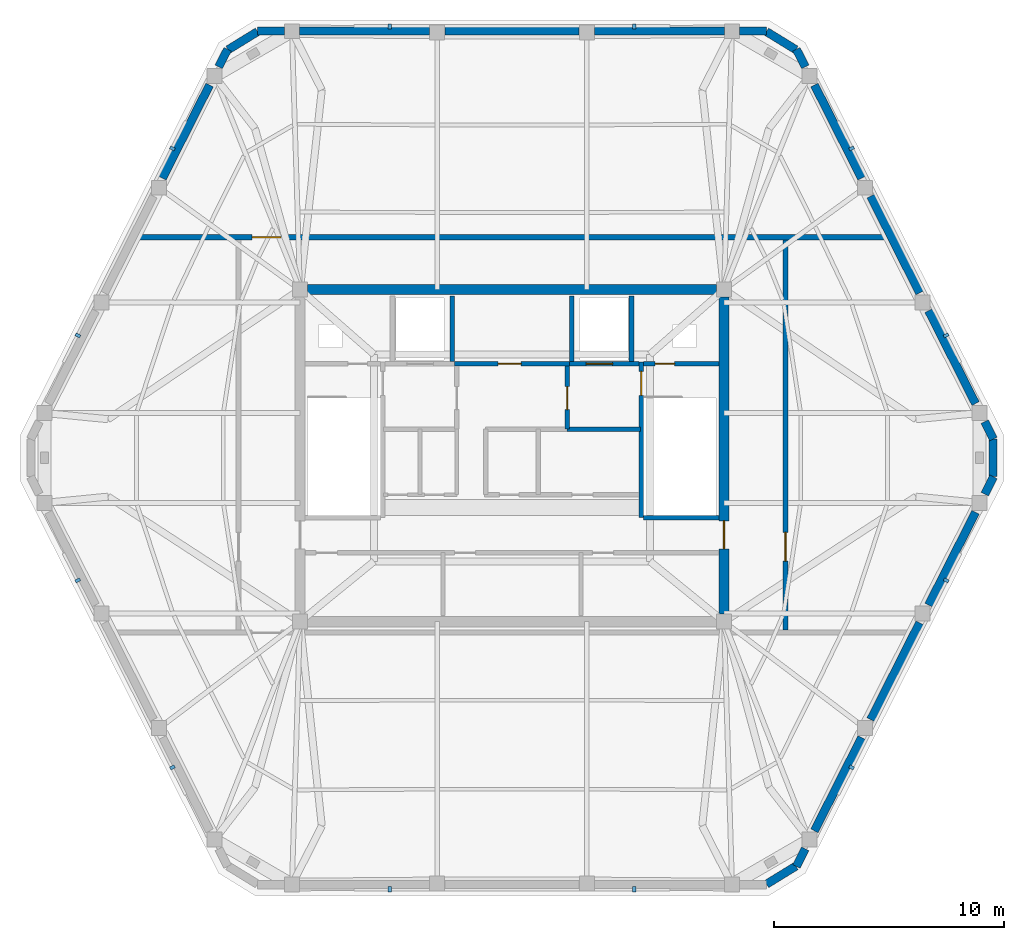
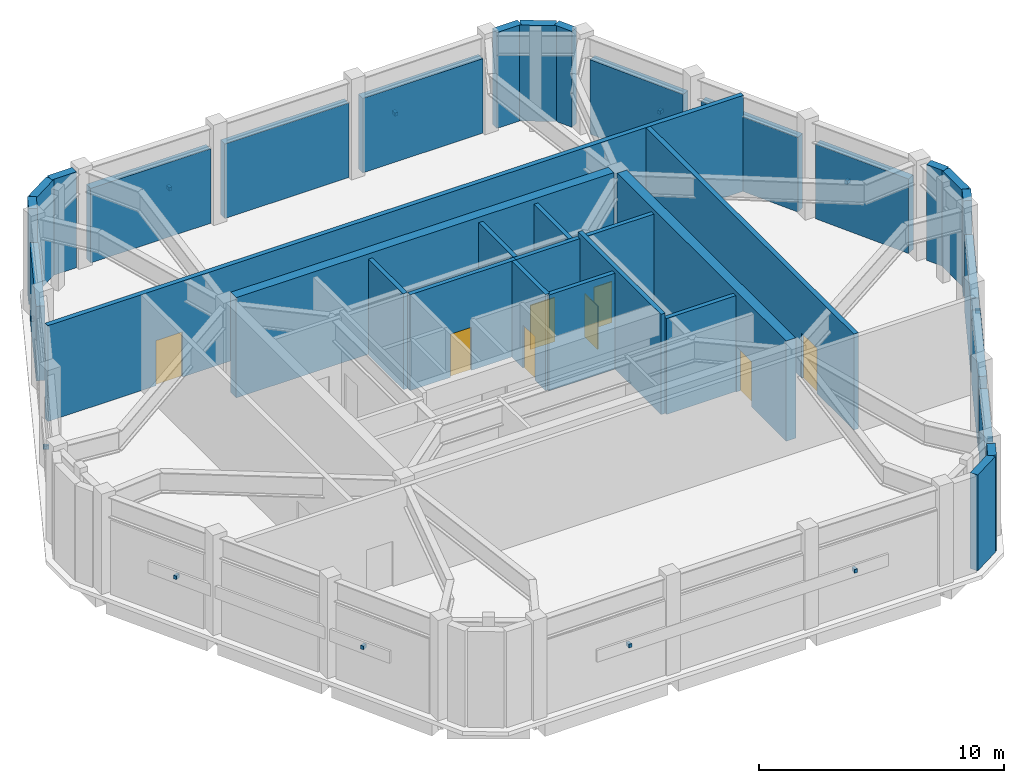
# One storey, part 5 of 6: 35 walls, 12 discrete accessories, 8 doors, 8 openings.
"""IFC4 building model written with IfcOpenShell, lengths in metres."""

from ifc_helpers import new_model, si_unit, direction, frame, frame_2d, origin, origin_2d, place, context, subcontext, project, spatial, rectangle, extrude, material, layer, layer_set, type_object, element, fill, save


model = new_model("IFC4")

# Units and contexts
model_context = context("Model", 3, precision=1e-05, world=origin(), true_north=direction((0.0, 1.0)))
body_context = subcontext(model_context, "Body", "Model", "MODEL_VIEW")
ifc_project = project(units=[si_unit("LENGTHUNIT", "METRE"), si_unit("AREAUNIT", "SQUARE_METRE"), si_unit("VOLUMEUNIT", "CUBIC_METRE"), si_unit("PLANEANGLEUNIT", "RADIAN"), si_unit("MASSUNIT", "GRAM", prefix="KILO")], contexts=[model_context])

# Site, building, storey
site_placement = place(None, origin())
site = spatial("IfcSite", under=ifc_project, at=site_placement, CompositionType="ELEMENT")
building_placement = place(site_placement, origin())
building = spatial("IfcBuilding", under=site, at=building_placement, Name="Cinnabar Lancet Tower", CompositionType="ELEMENT")
storey_placement = place(building_placement, frame((0.0, 0.0, 300.5)))
storey = spatial("IfcBuildingStorey", under=building, at=storey_placement, Name="L79", CompositionType="ELEMENT", Elevation=300.5)

# Wall, opening, door
ifc_material_1 = material(Name="Acoustic masonry plant room wall", Category="masonry")
ifc_layer_1 = layer(ifc_material_1, 0.219970703125)
ifc_layer_set_1 = layer_set([ifc_layer_1], Name="Acoustic masonry plant room wall")
wall_type_1 = type_object("IfcWallType", Name="ARC-WL-PLANT-220", PredefinedType="PARTITIONING", material=ifc_layer_set_1)
wall_1_placement = place(storey_placement, frame((44.300048828125, 18.31494140625, 0.0), z_axis=(0.0, 0.0, 1.0), x_axis=(0.0, 1.0, 0.0)))
wall_1 = element("IfcWall", 1, at=wall_1_placement, inside=storey, type_object=wall_type_1, Name="PW-L79-PE", PredefinedType="PARTITIONING", context=body_context, shape_type="SweptSolid", body=[
    extrude(rectangle(XDim=16.969970703125, YDim=0.219970703125, at=frame_2d((8.48486328125, 0.0))), origin(), (0.0, 0.0, 1.0), 4.780029296875),
])
opening_1_placement = place(wall_1_placement, frame((3.0, 0.0, 0.0)))
opening_1 = element("IfcOpeningElement", 2, at=opening_1_placement, cuts=wall_1, Name="Opening PD-01", PredefinedType="OPENING", context=body_context, shape_type="SweptSolid", body=[
    extrude(rectangle(XDim=1.25, YDim=2.25, at=frame_2d((0.625, 1.125))), frame((0.0, 0.119873046875, 0.0), z_axis=(0.0, -1.0, 0.0), x_axis=(1.0, 0.0, 0.0)), (0.0, 0.0, 1.0), 0.239990234375),
])
ifc_material_2 = material(Name="Louvred fire-rated steel plant room double door", Category="steel")
door_type_1 = type_object("IfcDoorType", Name="ARC-DR-PLANT", OperationType="NOTDEFINED", PredefinedType="DOOR", material=ifc_material_2)
door_1_placement = place(opening_1_placement, origin())
door_1 = element("IfcDoor", 3, at=door_1_placement, inside=storey, type_object=door_type_1, Name="DR-L79-PLE", OperationType="SINGLE_SWING_LEFT", OverallHeight=2.25, OverallWidth=1.25, PredefinedType="DOOR", context=body_context, shape_type="SweptSolid", body=[
    extrude(rectangle(XDim=1.25, YDim=2.25, at=frame_2d((0.625, 1.125))), frame((0.0, 0.02490234375, 0.0), z_axis=(0.0, -1.0, 0.0), x_axis=(1.0, 0.0, 0.0)), (0.0, 0.0, 1.0), 0.050048828125),
])
fill(opening_1, door_1)

wall_2_placement = place(storey_placement, frame((16.0009765625, 35.39990234375, 0.0), z_axis=(0.0, 0.0, 1.0), x_axis=(1.0, 0.0, 0.0)))
wall_2 = element("IfcWall", 4, at=wall_2_placement, inside=storey, type_object=wall_type_1, Name="PW-L79-PN", PredefinedType="PARTITIONING", context=body_context, shape_type="SweptSolid", body=[
    extrude(rectangle(XDim=32.798095703125, YDim=0.219970703125, at=frame_2d((16.39892578125, 0.0))), origin(), (0.0, 0.0, 1.0), 4.780029296875),
])
opening_2_placement = place(wall_2_placement, frame((5.09912109375, 0.0, 0.0)))
opening_2 = element("IfcOpeningElement", 5, at=opening_2_placement, cuts=wall_2, Name="Opening PD-01", PredefinedType="OPENING", context=body_context, shape_type="SweptSolid", body=[
    extrude(rectangle(XDim=1.25, YDim=2.25, at=frame_2d((0.625, 1.125))), frame((0.0, 0.119873046875, 0.0), z_axis=(0.0, -1.0, 0.0), x_axis=(1.0, 0.0, 0.0)), (0.0, 0.0, 1.0), 0.239990234375),
])
door_2_placement = place(opening_2_placement, origin())
door_2 = element("IfcDoor", 6, at=door_2_placement, inside=storey, type_object=door_type_1, Name="DR-L79-PLN", OperationType="SINGLE_SWING_LEFT", OverallHeight=2.25, OverallWidth=1.25, PredefinedType="DOOR", context=body_context, shape_type="SweptSolid", body=[
    extrude(rectangle(XDim=1.25, YDim=2.25, at=frame_2d((0.625, 1.125))), frame((0.0, 0.02490234375, 0.0), z_axis=(0.0, -1.0, 0.0), x_axis=(1.0, 0.0, 0.0)), (0.0, 0.0, 1.0), 0.050048828125),
])
fill(opening_2, door_2)

# Wall
ifc_material_3 = material(Name="Autoclaved aerated concrete blockwork", Category="masonry")
ifc_layer_2 = layer(ifc_material_3, 0.199951171875)
ifc_layer_set_2 = layer_set([ifc_layer_2], Name="Autoclaved aerated concrete blockwork")
wall_type_2 = type_object("IfcWallType", Name="ARC-WL-SHAFT-200", PredefinedType="PLUMBINGWALL", material=ifc_layer_set_2)
wall_3_placement = place(storey_placement, frame((38.125, 23.199951171875, 0.0), z_axis=(0.0, 0.0, 1.0), x_axis=(1.0, 0.0, 0.0)))
element("IfcWall", 7, at=wall_3_placement, inside=storey, type_object=wall_type_2, Name="CW-ST2S-L79", PredefinedType="PLUMBINGWALL", context=body_context, shape_type="SweptSolid", body=[
    extrude(rectangle(XDim=3.27001953125, YDim=0.199951171875, at=frame_2d((1.635009765625, 0.0))), origin(), (0.0, 0.0, 1.0), 4.780029296875),
])

# Wall, opening, door
wall_4_placement = place(storey_placement, frame((29.89990234375, 29.89990234375, 0.0), z_axis=(0.0, 0.0, 1.0), x_axis=(1.0, 0.0, 0.0)))
wall_4 = element("IfcWall", 8, at=wall_4_placement, inside=storey, type_object=wall_type_2, Name="CW-PL78-L79", PredefinedType="PLUMBINGWALL", context=body_context, shape_type="SweptSolid", body=[
    extrude(rectangle(XDim=5.0, YDim=0.199951171875, at=frame_2d((2.5, 0.0))), origin(), (0.0, 0.0, 1.0), 4.780029296875),
])
opening_3_placement = place(wall_4_placement, frame((1.89990234375, 0.0, 0.0)))
opening_3 = element("IfcOpeningElement", 9, at=opening_3_placement, cuts=wall_4, Name="Opening FD-01", PredefinedType="OPENING", context=body_context, shape_type="SweptSolid", body=[
    extrude(rectangle(XDim=1.0, YDim=2.14990234375, at=frame_2d((0.5, 1.074951171875))), frame((0.0, 0.10986328125, 0.0), z_axis=(0.0, -1.0, 0.0), x_axis=(1.0, 0.0, 0.0)), (0.0, 0.0, 1.0), 0.219970703125),
])
ifc_material_4 = material(Name="Fire-rated timber-core lobby door", Category="wood")
door_type_2 = type_object("IfcDoorType", Name="ARC-DR-FFAL", OperationType="NOTDEFINED", PredefinedType="DOOR", material=ifc_material_4)
door_3_placement = place(opening_3_placement, origin())
door_3 = element("IfcDoor", 10, at=door_3_placement, inside=storey, type_object=door_type_2, Name="L79 Lift Control Room Door", OperationType="SINGLE_SWING_LEFT", OverallHeight=2.14990234375, OverallWidth=1.0, PredefinedType="DOOR", context=body_context, shape_type="SweptSolid", body=[
    extrude(rectangle(XDim=1.0, YDim=2.14990234375, at=frame_2d((0.5, 1.074951171875))), frame((0.0, 0.02490234375, 0.0), z_axis=(0.0, -1.0, 0.0), x_axis=(1.0, 0.0, 0.0)), (0.0, 0.0, 1.0), 0.050048828125),
])
fill(opening_3, door_3)

wall_5_placement = place(storey_placement, frame((34.89990234375, 29.89990234375, 0.0), z_axis=(0.0, 0.0, 1.0), x_axis=(1.0, 0.0, 0.0)))
wall_5 = element("IfcWall", 11, at=wall_5_placement, inside=storey, type_object=wall_type_2, Name="CW-FL2-L79", PredefinedType="PLUMBINGWALL", context=body_context, shape_type="SweptSolid", body=[
    extrude(rectangle(XDim=3.01513671875, YDim=0.199951171875, at=frame_2d((1.507568359375, 0.0))), origin(), (0.0, 0.0, 1.0), 4.780029296875),
])
opening_4_placement = place(wall_5_placement, frame((0.72509765625, 0.0, 0.0)))
opening_4 = element("IfcOpeningElement", 12, at=opening_4_placement, cuts=wall_5, Name="Opening LD-02", PredefinedType="OPENING", context=body_context, shape_type="SweptSolid", body=[
    extrude(rectangle(XDim=1.14990234375, YDim=2.199951171875, at=frame_2d((0.574951171875, 1.10009765625))), frame((0.0, 0.10986328125, 0.0), z_axis=(0.0, -1.0, 0.0), x_axis=(1.0, 0.0, 0.0)), (0.0, 0.0, 1.0), 0.219970703125),
])
ifc_material_5 = material(Name="Fire-rated stainless steel firefighting lift landing door", Category="steel")
door_type_3 = type_object("IfcDoorType", Name="ARC-DR-LD-FIRE", OperationType="NOTDEFINED", PredefinedType="DOOR", material=ifc_material_5)
door_4_placement = place(opening_4_placement, origin())
door_4 = element("IfcDoor", 13, at=door_4_placement, inside=storey, type_object=door_type_3, Name="L79 Firefighting Lift FL-2 Landing Door", OperationType="DOUBLE_DOOR_SLIDING", OverallHeight=2.199951171875, OverallWidth=1.14990234375, PredefinedType="DOOR", context=body_context, shape_type="SweptSolid", body=[
    extrude(rectangle(XDim=1.14990234375, YDim=2.199951171875, at=frame_2d((0.574951171875, 1.10009765625))), frame((0.0, 0.02490234375, 0.0), z_axis=(0.0, -1.0, 0.0), x_axis=(1.0, 0.0, 0.0)), (0.0, 0.0, 1.0), 0.050048828125),
])
fill(opening_4, door_4)

wall_6_placement = place(storey_placement, frame((38.125, 29.89990234375, 0.0), z_axis=(0.0, 0.0, 1.0), x_axis=(1.0, 0.0, 0.0)))
wall_6 = element("IfcWall", 14, at=wall_6_placement, inside=storey, type_object=wall_type_2, Name="CW-NSH-E-L79", PredefinedType="PLUMBINGWALL", context=body_context, shape_type="SweptSolid", body=[
    extrude(rectangle(XDim=3.27001953125, YDim=0.199951171875, at=frame_2d((1.635009765625, 0.0))), origin(), (0.0, 0.0, 1.0), 4.780029296875),
])
opening_5_placement = place(wall_6_placement, frame((0.5, 0.0, 0.0)))
opening_5 = element("IfcOpeningElement", 15, at=opening_5_placement, cuts=wall_6, Name="Opening PD-02", PredefinedType="OPENING", context=body_context, shape_type="SweptSolid", body=[
    extrude(rectangle(XDim=0.85009765625, YDim=2.050048828125, at=frame_2d((0.425048828125, 1.02490234375))), frame((0.0, 0.10986328125, 0.0), z_axis=(0.0, -1.0, 0.0), x_axis=(1.0, 0.0, 0.0)), (0.0, 0.0, 1.0), 0.219970703125),
])
ifc_material_6 = material(Name="Fire-rated steel riser access door", Category="steel")
door_type_4 = type_object("IfcDoorType", Name="ARC-DR-RISER", OperationType="NOTDEFINED", PredefinedType="DOOR", material=ifc_material_6)
door_5_placement = place(opening_5_placement, origin())
door_5 = element("IfcDoor", 16, at=door_5_placement, inside=storey, type_object=door_type_4, Name="L79 East Riser Access Door", OperationType="SINGLE_SWING_RIGHT", OverallHeight=2.050048828125, OverallWidth=0.85009765625, PredefinedType="DOOR", context=body_context, shape_type="SweptSolid", body=[
    extrude(rectangle(XDim=0.85009765625, YDim=2.050048828125, at=frame_2d((0.425048828125, 1.02490234375))), frame((0.0, 0.02490234375, 0.0), z_axis=(0.0, -1.0, 0.0), x_axis=(1.0, 0.0, 0.0)), (0.0, 0.0, 1.0), 0.050048828125),
])
fill(opening_5, door_5)

# Walls
for number, where, z_axis, x_axis, name in (
    (17, (29.800048828125, 30.0, 0.0), (0.0, 0.0, 1.0), (0.0, 1.0, 0.0), "CW-NSH-D2-L79"),
    (18, (35.0, 30.0, 0.0), (0.0, 0.0, 1.0), (0.0, 1.0, 0.0), "CW-NSH-D4-L79"),
    (19, (37.60009765625, 30.0, 0.0), (0.0, 0.0, 1.0), (0.0, 1.0, 0.0), "CW-NSH-D5-L79"),
):
    element("IfcWall", number, at=place(storey_placement, frame(where, z_axis=z_axis, x_axis=x_axis)), inside=storey, type_object=wall_type_2, Name=name, PredefinedType="PLUMBINGWALL", context=body_context, shape_type="SweptSolid", body=[
        extrude(rectangle(XDim=2.85009765625, YDim=0.199951171875, at=frame_2d((1.425048828125, 0.0))), origin(), (0.0, 0.0, 1.0), 4.780029296875),
    ])

# Wall, opening, door
wall_7_placement = place(storey_placement, frame((34.800048828125, 27.050048828125, 0.0), z_axis=(0.0, 0.0, 1.0), x_axis=(0.0, 1.0, 0.0)))
wall_7 = element("IfcWall", 20, at=wall_7_placement, inside=storey, type_object=wall_type_2, Name="CW-FF2W-L79", PredefinedType="PLUMBINGWALL", context=body_context, shape_type="SweptSolid", body=[
    extrude(rectangle(XDim=2.75, YDim=0.199951171875, at=frame_2d((1.375, 0.0))), origin(), (0.0, 0.0, 1.0), 4.780029296875),
])
opening_6_placement = place(wall_7_placement, frame((0.85009765625, 0.0, 0.0)))
opening_6 = element("IfcOpeningElement", 21, at=opening_6_placement, cuts=wall_7, Name="Opening FD-01", PredefinedType="OPENING", context=body_context, shape_type="SweptSolid", body=[
    extrude(rectangle(XDim=1.0, YDim=2.14990234375, at=frame_2d((0.5, 1.074951171875))), frame((0.0, 0.10986328125, 0.0), z_axis=(0.0, -1.0, 0.0), x_axis=(1.0, 0.0, 0.0)), (0.0, 0.0, 1.0), 0.219970703125),
])
door_6_placement = place(opening_6_placement, origin())
door_6 = element("IfcDoor", 22, at=door_6_placement, inside=storey, type_object=door_type_2, Name="L79 FFAL-2 Lobby Fire Door", OperationType="SINGLE_SWING_LEFT", OverallHeight=2.14990234375, OverallWidth=1.0, PredefinedType="DOOR", context=body_context, shape_type="SweptSolid", body=[
    extrude(rectangle(XDim=1.0, YDim=2.14990234375, at=frame_2d((0.5, 1.074951171875))), frame((0.0, 0.02490234375, 0.0), z_axis=(0.0, -1.0, 0.0), x_axis=(1.0, 0.0, 0.0)), (0.0, 0.0, 1.0), 0.050048828125),
])
fill(opening_6, door_6)

# Walls
wall_8_placement = place(storey_placement, frame((34.800048828125, 27.050048828125, 0.0), z_axis=(0.0, 0.0, 1.0), x_axis=(1.0, 0.0, 0.0)))
element("IfcWall", 23, at=wall_8_placement, inside=storey, type_object=wall_type_2, Name="CW-FF2S-L79", PredefinedType="PLUMBINGWALL", context=body_context, shape_type="SweptSolid", body=[
    extrude(rectangle(XDim=3.199951171875, YDim=0.199951171875, at=frame_2d((1.60009765625, 0.0))), origin(), (0.0, 0.0, 1.0), 4.780029296875),
])
ifc_material_7 = material(Name="Dark charcoal engineering brick", Category="masonry")
ifc_layer_3 = layer(ifc_material_7, 0.360107421875)
ifc_layer_set_3 = layer_set([ifc_layer_3], Name="Dark charcoal engineering brick")
wall_type_3 = type_object("IfcWallType", Name="ENV-WL-BRK-CHR-360", PredefinedType="STANDARD", material=ifc_layer_set_3)
wall_9_placement = place(storey_placement, frame((43.470947265625, 7.257080078125, 0.0), z_axis=(0.0, 0.0, 1.0), x_axis=(0.852199198594, 0.523217474781, 0.0)))
element("IfcWall", 24, at=wall_9_placement, inside=storey, type_object=wall_type_3, Name="L79 Chamfered Corner Brick Pier 2.1", PredefinedType="STANDARD", context=body_context, shape_type="SweptSolid", body=[
    extrude(rectangle(XDim=1.501953125, YDim=0.360107421875, at=frame_2d((0.7509765625, 0.0))), origin(), (0.0, 0.0, 1.0), 4.780029296875),
])
wall_10_placement = place(storey_placement, frame((53.322998046875, 24.98291015625, 0.0), z_axis=(0.0, 0.0, 1.0), x_axis=(0.0, 1.0, 0.0)))
element("IfcWall", 25, at=wall_10_placement, inside=storey, type_object=wall_type_3, Name="L79 Chamfered Corner Brick Pier 3.1", PredefinedType="STANDARD", context=body_context, shape_type="SweptSolid", body=[
    extrude(rectangle(XDim=1.634033203125, YDim=0.360107421875, at=frame_2d((0.81689453125, 0.0))), origin(), (0.0, 0.0, 1.0), 4.780029296875),
])
for number, where, z_axis, x_axis, name in (
    (26, (44.7509765625, 43.556884765625, 0.0), (0.0, 0.0, 1.0), (-0.852126722184, 0.523335503611, 0.0), "L79 Chamfered Corner Brick Pier 4.1"),
    (27, (21.3291015625, 44.343017578125, 0.0), (0.0, 0.0, 1.0), (-0.852126722184, -0.523335503611, 0.0), "L79 Chamfered Corner Brick Pier 5.1"),
):
    element("IfcWall", number, at=place(storey_placement, frame(where, z_axis=z_axis, x_axis=x_axis)), inside=storey, type_object=wall_type_3, Name=name, PredefinedType="STANDARD", context=body_context, shape_type="SweptSolid", body=[
        extrude(rectangle(XDim=1.502197265625, YDim=0.360107421875, at=frame_2d((0.7509765625, 0.0))), origin(), (0.0, 0.0, 1.0), 4.780029296875),
    ])
wall_11_placement = place(storey_placement, frame((44.77197265625, 8.02587890625, 0.0), z_axis=(0.0, 0.0, 1.0), x_axis=(0.451319562919, 0.892362399548, 0.0)))
element("IfcWall", 28, at=wall_11_placement, inside=storey, type_object=wall_type_3, Name="L79 Face 2 Masonry Bay Wall 1", PredefinedType="STANDARD", context=body_context, shape_type="SweptSolid", body=[
    extrude(rectangle(XDim=0.855224609375, YDim=0.360107421875, at=frame_2d((0.427734375, 0.0))), origin(), (0.0, 0.0, 1.0), 4.780029296875),
])
wall_12_placement = place(storey_placement, frame((45.555908203125, 9.576904296875, 0.0), z_axis=(0.0, 0.0, 1.0), x_axis=(0.451330883617, 0.892356673922, 0.0)))
element("IfcWall", 29, at=wall_12_placement, inside=storey, type_object=wall_type_3, Name="L79 Face 2 Masonry Bay Wall 2", PredefinedType="STANDARD", context=body_context, shape_type="SweptSolid", body=[
    extrude(rectangle(XDim=4.548828125, YDim=0.360107421875, at=frame_2d((2.2744140625, 0.0))), origin(), (0.0, 0.0, 1.0), 3.714111328125),
])
wall_13_placement = place(storey_placement, frame((48.001953125, 14.4130859375, 0.0), z_axis=(0.0, 0.0, 1.0), x_axis=(0.451472275188, 0.892285147661, 0.0)))
element("IfcWall", 30, at=wall_13_placement, inside=storey, type_object=wall_type_3, Name="L79 Face 2 Masonry Bay Wall 3", PredefinedType="STANDARD", context=body_context, shape_type="SweptSolid", body=[
    extrude(rectangle(XDim=4.71826171875, YDim=0.360107421875, at=frame_2d((2.359130859375, 0.0))), origin(), (0.0, 0.0, 1.0), 3.714111328125),
])
wall_14_placement = place(storey_placement, frame((50.52294921875, 19.39697265625, 0.0), z_axis=(0.0, 0.0, 1.0), x_axis=(0.451264337917, 0.892390327897, 0.0)))
element("IfcWall", 31, at=wall_14_placement, inside=storey, type_object=wall_type_3, Name="L79 Face 2 Masonry Bay Wall 4", PredefinedType="STANDARD", context=body_context, shape_type="SweptSolid", body=[
    extrude(rectangle(XDim=4.527099609375, YDim=0.360107421875, at=frame_2d((2.263671875, 0.0))), origin(), (0.0, 0.0, 1.0), 3.714111328125),
])
for number, where, z_axis, x_axis, name in (
    (32, (52.965087890625, 24.22412109375, 0.0), (0.0, 0.0, 1.0), (0.450919109914, 0.892564819111, 0.0), "L79 Face 2 Masonry Bay Wall 5"),
    (33, (53.344970703125, 26.6240234375, 0.0), (0.0, 0.0, 1.0), (-0.450919109914, 0.892564819111, 0.0), "L79 Face 3 Masonry Bay Wall 1"),
):
    element("IfcWall", number, at=place(storey_placement, frame(where, z_axis=z_axis, x_axis=x_axis)), inside=storey, type_object=wall_type_3, Name=name, PredefinedType="STANDARD", context=body_context, shape_type="SweptSolid", body=[
        extrude(rectangle(XDim=0.842529296875, YDim=0.360107421875, at=frame_2d((0.42138671875, 0.0))), origin(), (0.0, 0.0, 1.0), 4.780029296875),
    ])
wall_15_placement = place(storey_placement, frame((52.56591796875, 28.1630859375, 0.0), z_axis=(0.0, 0.0, 1.0), x_axis=(-0.451286055597, 0.892379345359, 0.0)))
element("IfcWall", 34, at=wall_15_placement, inside=storey, type_object=wall_type_3, Name="L79 Face 3 Masonry Bay Wall 2", PredefinedType="STANDARD", context=body_context, shape_type="SweptSolid", body=[
    extrude(rectangle(XDim=4.527099609375, YDim=0.360107421875, at=frame_2d((2.263671875, 0.0))), origin(), (0.0, 0.0, 1.0), 3.714111328125),
])
wall_16_placement = place(storey_placement, frame((50.132080078125, 32.97705078125, 0.0), z_axis=(0.0, 0.0, 1.0), x_axis=(-0.451472275188, 0.892285147661, 0.0)))
element("IfcWall", 35, at=wall_16_placement, inside=storey, type_object=wall_type_3, Name="L79 Face 3 Masonry Bay Wall 3", PredefinedType="STANDARD", context=body_context, shape_type="SweptSolid", body=[
    extrude(rectangle(XDim=4.71826171875, YDim=0.360107421875, at=frame_2d((2.359130859375, 0.0))), origin(), (0.0, 0.0, 1.0), 3.714111328125),
])
wall_17_placement = place(storey_placement, frame((47.60888671875, 37.964111328125, 0.0), z_axis=(0.0, 0.0, 1.0), x_axis=(-0.451352500963, 0.8923457401, 0.0)))
element("IfcWall", 36, at=wall_17_placement, inside=storey, type_object=wall_type_3, Name="L79 Face 3 Masonry Bay Wall 4", PredefinedType="STANDARD", context=body_context, shape_type="SweptSolid", body=[
    extrude(rectangle(XDim=4.548583984375, YDim=0.360107421875, at=frame_2d((2.2744140625, 0.0))), origin(), (0.0, 0.0, 1.0), 3.714111328125),
])
wall_18_placement = place(storey_placement, frame((45.157958984375, 42.81103515625, 0.0), z_axis=(0.0, 0.0, 1.0), x_axis=(-0.451434556659, 0.892304231221, 0.0)))
element("IfcWall", 37, at=wall_18_placement, inside=storey, type_object=wall_type_3, Name="L79 Face 3 Masonry Bay Wall 5", PredefinedType="STANDARD", context=body_context, shape_type="SweptSolid", body=[
    extrude(rectangle(XDim=0.85498046875, YDim=0.360107421875, at=frame_2d((0.427490234375, 0.0))), origin(), (0.0, 0.0, 1.0), 4.780029296875),
])
wall_19_placement = place(storey_placement, frame((43.47705078125, 44.3701171875, 0.0), z_axis=(0.0, 0.0, 1.0), x_axis=(-1.0, 0.0, 0.0)))
element("IfcWall", 38, at=wall_19_placement, inside=storey, type_object=wall_type_3, Name="L79 Face 4 Masonry Bay Wall 1", PredefinedType="STANDARD", context=body_context, shape_type="SweptSolid", body=[
    extrude(rectangle(XDim=1.176025390625, YDim=0.360107421875, at=frame_2d((0.587890625, 0.0))), origin(), (0.0, 0.0, 1.0), 4.780029296875),
])
wall_20_placement = place(storey_placement, frame((41.64306640625, 44.3701171875, 0.0), z_axis=(0.0, 0.0, 1.0), x_axis=(-1.0, 0.0, 0.0)))
element("IfcWall", 39, at=wall_20_placement, inside=storey, type_object=wall_type_3, Name="L79 Face 4 Masonry Bay Wall 2", PredefinedType="STANDARD", context=body_context, shape_type="SweptSolid", body=[
    extrude(rectangle(XDim=5.66015625, YDim=0.360107421875, at=frame_2d((2.830078125, 0.0))), origin(), (0.0, 0.0, 1.0), 3.714111328125),
])
wall_21_placement = place(storey_placement, frame((35.324951171875, 44.3701171875, 0.0), z_axis=(0.0, 0.0, 1.0), x_axis=(-1.0, 0.0, 0.0)))
element("IfcWall", 40, at=wall_21_placement, inside=storey, type_object=wall_type_3, Name="L79 Face 4 Masonry Bay Wall 3", PredefinedType="STANDARD", context=body_context, shape_type="SweptSolid", body=[
    extrude(rectangle(XDim=5.849853515625, YDim=0.360107421875, at=frame_2d((2.9248046875, 0.0))), origin(), (0.0, 0.0, 1.0), 3.714111328125),
])
wall_22_placement = place(storey_placement, frame((28.81689453125, 44.3701171875, 0.0), z_axis=(0.0, 0.0, 1.0), x_axis=(-1.0, 0.0, 0.0)))
element("IfcWall", 41, at=wall_22_placement, inside=storey, type_object=wall_type_3, Name="L79 Face 4 Masonry Bay Wall 4", PredefinedType="STANDARD", context=body_context, shape_type="SweptSolid", body=[
    extrude(rectangle(XDim=5.659912109375, YDim=0.360107421875, at=frame_2d((2.830078125, 0.0))), origin(), (0.0, 0.0, 1.0), 3.714111328125),
])
wall_23_placement = place(storey_placement, frame((22.4990234375, 44.3701171875, 0.0), z_axis=(0.0, 0.0, 1.0), x_axis=(-1.0, 0.0, 0.0)))
element("IfcWall", 42, at=wall_23_placement, inside=storey, type_object=wall_type_3, Name="L79 Face 4 Masonry Bay Wall 5", PredefinedType="STANDARD", context=body_context, shape_type="SweptSolid", body=[
    extrude(rectangle(XDim=1.176025390625, YDim=0.360107421875, at=frame_2d((0.587890625, 0.0))), origin(), (0.0, 0.0, 1.0), 4.780029296875),
])
wall_24_placement = place(storey_placement, frame((20.028076171875, 43.573974609375, 0.0), z_axis=(0.0, 0.0, 1.0), x_axis=(-0.451434556659, -0.892304231221, 0.0)))
element("IfcWall", 43, at=wall_24_placement, inside=storey, type_object=wall_type_3, Name="L79 Face 5 Masonry Bay Wall 1", PredefinedType="STANDARD", context=body_context, shape_type="SweptSolid", body=[
    extrude(rectangle(XDim=0.85498046875, YDim=0.360107421875, at=frame_2d((0.427490234375, 0.0))), origin(), (0.0, 0.0, 1.0), 4.780029296875),
])
wall_25_placement = place(storey_placement, frame((19.243896484375, 42.02294921875, 0.0), z_axis=(0.0, 0.0, 1.0), x_axis=(-0.451352500963, -0.8923457401, 0.0)))
element("IfcWall", 44, at=wall_25_placement, inside=storey, type_object=wall_type_3, Name="L79 Face 5 Masonry Bay Wall 2", PredefinedType="STANDARD", context=body_context, shape_type="SweptSolid", body=[
    extrude(rectangle(XDim=4.548583984375, YDim=0.360107421875, at=frame_2d((2.2744140625, 0.0))), origin(), (0.0, 0.0, 1.0), 3.714111328125),
])
ifc_material_8 = material(Name="Concrete C50/60", Category="concrete")
ifc_layer_4 = layer(ifc_material_8, 0.449951171875)
ifc_layer_set_4 = layer_set([ifc_layer_4], Name="Concrete C50/60")
wall_type_4 = type_object("IfcWallType", Name="STR-WL-CORE-450", PredefinedType="SHEAR", material=ifc_layer_set_4)
wall_26_placement = place(storey_placement, frame((23.5, 33.125, 0.0), z_axis=(0.0, 0.0, 1.0), x_axis=(1.0, 0.0, 0.0)))
element("IfcWall", 45, at=wall_26_placement, inside=storey, type_object=wall_type_4, Name="L79 Core Shear Wall N", PredefinedType="SHEAR", context=body_context, shape_type="SweptSolid", body=[
    extrude(rectangle(XDim=17.800048828125, YDim=0.449951171875, at=frame_2d((8.89990234375, 0.0))), origin(), (0.0, 0.0, 1.0), 5.0),
])

# Wall, opening, door
wall_27_placement = place(storey_placement, frame((41.625, 19.0, 0.0), z_axis=(0.0, 0.0, 1.0), x_axis=(0.0, 1.0, 0.0)))
wall_27 = element("IfcWall", 46, at=wall_27_placement, inside=storey, type_object=wall_type_4, Name="L79 Core Shear Wall E", PredefinedType="SHEAR", context=body_context, shape_type="SweptSolid", body=[
    extrude(rectangle(XDim=13.800048828125, YDim=0.449951171875, at=frame_2d((6.89990234375, 0.0))), origin(), (0.0, 0.0, 1.0), 5.0),
])
opening_7_placement = place(wall_27_placement, frame((2.840087890625, 0.0, 0.0)))
opening_7 = element("IfcOpeningElement", 47, at=opening_7_placement, cuts=wall_27, Name="Opening FD-02", PredefinedType="OPENING", context=body_context, shape_type="SweptSolid", body=[
    extrude(rectangle(XDim=1.219970703125, YDim=2.25, at=frame_2d((0.60986328125, 1.125))), frame((0.0, 0.23486328125, 0.0), z_axis=(0.0, -1.0, 0.0), x_axis=(1.0, 0.0, 0.0)), (0.0, 0.0, 1.0), 0.469970703125),
])
ifc_material_9 = material(Name="Fire-rated double-vision core portal door", Category="wood")
door_type_5 = type_object("IfcDoorType", Name="ARC-DR-CPORT", OperationType="NOTDEFINED", PredefinedType="DOOR", material=ifc_material_9)
door_7_placement = place(opening_7_placement, origin())
door_7 = element("IfcDoor", 48, at=door_7_placement, inside=storey, type_object=door_type_5, Name="L79 East Core Lobby Fire Door", OperationType="SINGLE_SWING_LEFT", OverallHeight=2.25, OverallWidth=1.219970703125, PredefinedType="DOOR", context=body_context, shape_type="SweptSolid", body=[
    extrude(rectangle(XDim=1.219970703125, YDim=2.25, at=frame_2d((0.60986328125, 1.125))), frame((0.0, 0.02490234375, 0.0), z_axis=(0.0, -1.0, 0.0), x_axis=(1.0, 0.0, 0.0)), (0.0, 0.0, 1.0), 0.050048828125),
])
fill(opening_7, door_7)

ifc_material_10 = material(Name="Concrete C50/60", Category="concrete")
ifc_layer_5 = layer(ifc_material_10, 0.199951171875)
ifc_layer_set_5 = layer_set([ifc_layer_5], Name="Concrete C50/60")
wall_type_5 = type_object("IfcWallType", Name="STR-WL-STAIR-200", PredefinedType="SHEAR", material=ifc_layer_set_5)
wall_28_placement = place(storey_placement, frame((38.02001953125, 23.199951171875, 0.0), z_axis=(0.0, 0.0, 1.0), x_axis=(0.0, 1.0, 0.0)))
wall_28 = element("IfcWall", 49, at=wall_28_placement, inside=storey, type_object=wall_type_5, Name="L79 Stair ST-2 Structural Enclosure Wall", PredefinedType="SHEAR", context=body_context, shape_type="SweptSolid", body=[
    extrude(rectangle(XDim=6.780029296875, YDim=0.199951171875, at=frame_2d((3.39013671875, 0.0))), origin(), (0.0, 0.0, 1.0), 5.0),
])
opening_8_placement = place(wall_28_placement, frame((5.320068359375, 0.0, 0.0)))
opening_8 = element("IfcOpeningElement", 50, at=opening_8_placement, cuts=wall_28, Name="Opening SD-01", PredefinedType="OPENING", context=body_context, shape_type="SweptSolid", body=[
    extrude(rectangle(XDim=1.050048828125, YDim=2.14990234375, at=frame_2d((0.52490234375, 1.074951171875))), frame((0.0, 0.10986328125, 0.0), z_axis=(0.0, -1.0, 0.0), x_axis=(1.0, 0.0, 0.0)), (0.0, 0.0, 1.0), 0.219970703125),
])
ifc_material_11 = material(Name="Fire-rated steel stair exit door", Category="steel")
door_type_6 = type_object("IfcDoorType", Name="ARC-DR-STAIR", OperationType="NOTDEFINED", PredefinedType="DOOR", material=ifc_material_11)
door_8_placement = place(opening_8_placement, origin())
door_8 = element("IfcDoor", 51, at=door_8_placement, inside=storey, type_object=door_type_6, Name="L79 Stair ST-2 Fire Door", OperationType="SINGLE_SWING_RIGHT", OverallHeight=2.14990234375, OverallWidth=1.050048828125, PredefinedType="DOOR", context=body_context, shape_type="SweptSolid", body=[
    extrude(rectangle(XDim=1.050048828125, YDim=2.14990234375, at=frame_2d((0.52490234375, 1.074951171875))), frame((0.0, 0.02490234375, 0.0), z_axis=(0.0, -1.0, 0.0), x_axis=(1.0, 0.0, 0.0)), (0.0, 0.0, 1.0), 0.050048828125),
])
fill(opening_8, door_8)

# Discrete accessories
ifc_material_12 = material(Name="Stainless steel 316 facade fixing bracket", Category="steel")
discrete_accessory_type = type_object("IfcDiscreteAccessoryType", Name="ENV-ACC-BRK-180", PredefinedType="BRACKET", material=ifc_material_12)
for number, where, z_axis, x_axis, name in (
    (52, (27.0830078125, 7.034912109375, 2.06005859375), (0.0, 0.0, 1.0), (1.0, 0.0, 0.0), "L79 Face 1 Louvre Fixing Bracket A"),
    (53, (37.717041015625, 7.034912109375, 2.06005859375), (0.0, 0.0, 1.0), (1.0, 0.0, 0.0), "L79 Face 1 Louvre Fixing Bracket B"),
    (54, (47.1708984375, 12.337890625, 2.06005859375), (0.0, 0.0, 1.0), (0.451329261197, 0.892357494498, 0.0), "L79 Face 2 Louvre Fixing Bracket A"),
    (55, (51.285888671875, 20.47412109375, 2.06005859375), (0.0, 0.0, 1.0), (0.451329261197, 0.892357494498, 0.0), "L79 Face 2 Louvre Fixing Bracket B"),
    (56, (51.285888671875, 31.1259765625, 2.06005859375), (0.0, 0.0, 1.0), (-0.451329261197, 0.892357494498, 0.0), "L79 Face 3 Louvre Fixing Bracket A"),
    (57, (47.1708984375, 39.261962890625, 2.06005859375), (0.0, 0.0, 1.0), (-0.451329261197, 0.892357494498, 0.0), "L79 Face 3 Louvre Fixing Bracket B"),
    (58, (37.717041015625, 44.56494140625, 2.06005859375), (0.0, 0.0, 1.0), (-1.0, 0.0, 0.0), "L79 Face 4 Louvre Fixing Bracket A"),
    (59, (27.0830078125, 44.56494140625, 2.06005859375), (0.0, 0.0, 1.0), (-1.0, 0.0, 0.0), "L79 Face 4 Louvre Fixing Bracket B"),
    (60, (17.62890625, 39.261962890625, 2.06005859375), (0.0, 0.0, 1.0), (-0.451329261197, -0.892357494498, 0.0), "L79 Face 5 Louvre Fixing Bracket A"),
    (61, (13.513916015625, 31.1259765625, 2.06005859375), (0.0, 0.0, 1.0), (-0.451329261197, -0.892357494498, 0.0), "L79 Face 5 Louvre Fixing Bracket B"),
    (62, (13.513916015625, 20.47412109375, 2.06005859375), (0.0, 0.0, 1.0), (0.451329261197, -0.892357494498, 0.0), "L79 Face 6 Louvre Fixing Bracket A"),
    (63, (17.62890625, 12.337890625, 2.06005859375), (0.0, 0.0, 1.0), (0.451329261197, -0.892357494498, 0.0), "L79 Face 6 Louvre Fixing Bracket B"),
):
    element("IfcDiscreteAccessory", number, at=place(storey_placement, frame(where, z_axis=z_axis, x_axis=x_axis)), inside=storey, type_object=discrete_accessory_type, Name=name, PredefinedType="BRACKET", context=body_context, shape_type="SweptSolid", body=[
        extrude(rectangle(XDim=0.139892578125, YDim=0.219970703125, at=origin_2d()), origin(), (0.0, 0.0, 1.0), 0.179931640625),
    ])

save(model, "model.ifc")
